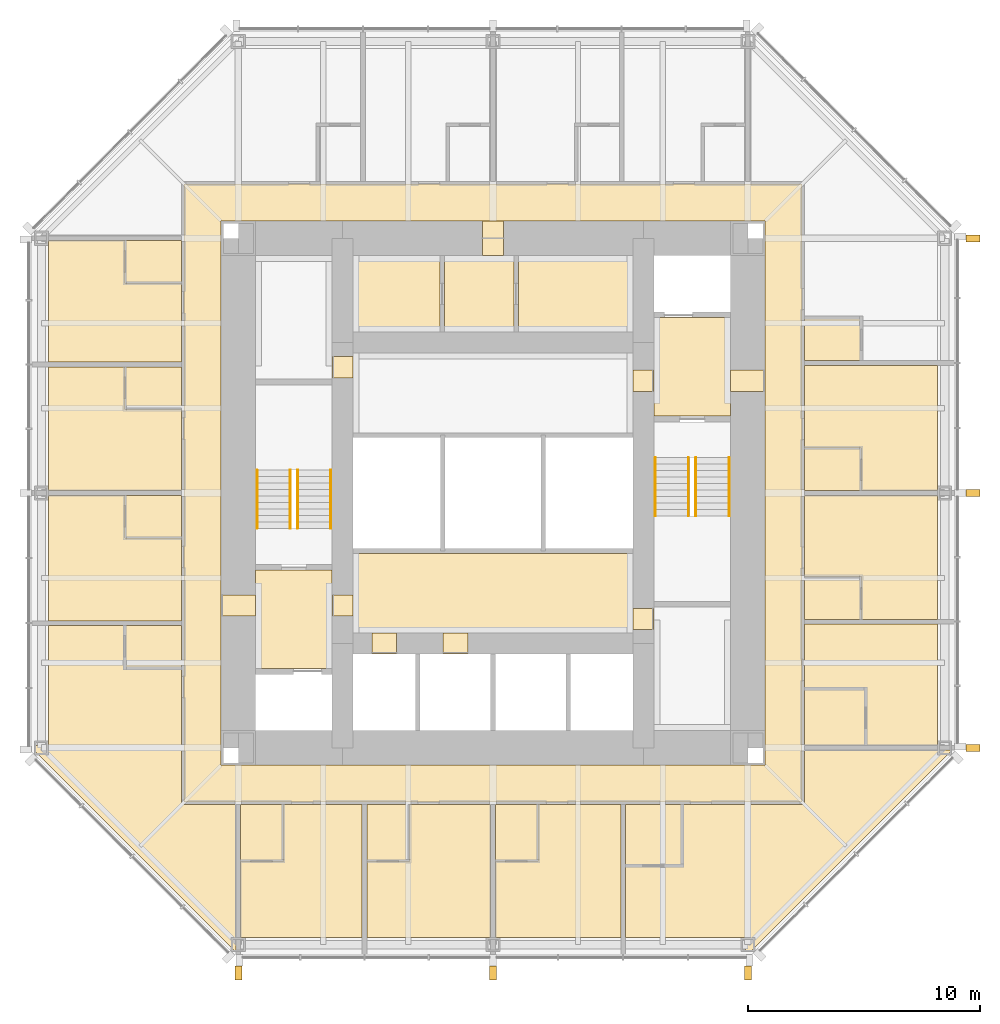
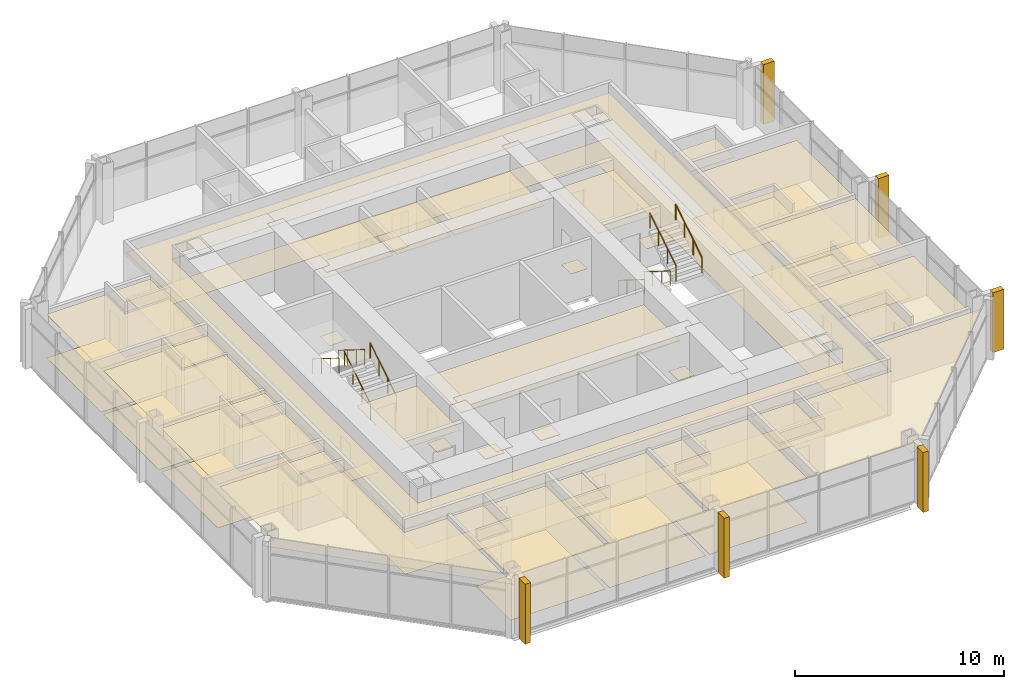
# One storey, part 11 of 12: 54 coverings, 8 railings.
"""IFC4 building model written with IfcOpenShell, lengths in metres."""

from ifc_helpers import new_model, si_unit, direction, frame, origin, origin_2d, place, context, subcontext, project, spatial, polyline, rectangle, circle, outline, extrude, material, layer, layer_set, type_object, element, save


model = new_model("IFC4")

# Units and contexts
model_context = context("Model", 3, precision=1e-05, world=origin(), true_north=direction((0.0, 1.0)))
body_context = subcontext(model_context, "Body", "Model", "MODEL_VIEW")
ifc_project = project(units=[si_unit("LENGTHUNIT", "METRE"), si_unit("AREAUNIT", "SQUARE_METRE"), si_unit("VOLUMEUNIT", "CUBIC_METRE"), si_unit("PLANEANGLEUNIT", "RADIAN"), si_unit("MASSUNIT", "GRAM", prefix="KILO")], contexts=[model_context])

# Site, building, storey
site_placement = place(None, origin())
site = spatial("IfcSite", under=ifc_project, at=site_placement, CompositionType="ELEMENT")
building_placement = place(site_placement, origin())
building = spatial("IfcBuilding", under=site, at=building_placement, Name="Trevanion Tower", CompositionType="ELEMENT")
storey_placement = place(building_placement, frame((0.0, 0.0, 194.199951171875)))
storey = spatial("IfcBuildingStorey", under=building, at=storey_placement, Name="L45", CompositionType="ELEMENT", Elevation=194.199951171875)

# Coverings
ifc_material_1 = material(Name="Fibrous plaster coffers on suspended steel grid", Category="steel")
ifc_layer_1 = layer(ifc_material_1, 0.050048828125)
ifc_layer_set_1 = layer_set([ifc_layer_1], Name="CL1 coffered fibrous plaster ceiling 50")
covering_type_1 = type_object("IfcCoveringType", Name="CL1 coffered fibrous plaster ceiling 50", PredefinedType="CEILING", material=ifc_layer_set_1)
covering_1_placement = place(storey_placement, frame((0.0, 0.0, 2.429931640625)))
element("IfcCovering", 1, at=covering_1_placement, inside=storey, type_object=covering_type_1, Name="CL1 L45-LBS", PredefinedType="CEILING", context=body_context, shape_type="SweptSolid", body=[
    extrude(outline(polyline([(6.050048828125, -6.050048828125), (6.050048828125, -2.60009765625), (-6.050048828125, -2.60009765625), (-6.050048828125, -6.050048828125), (6.050048828125, -6.050048828125)])), origin(), (0.0, 0.0, 1.0), 0.050048828125),
])
ifc_material_2 = material(Name="Mineral fibre acoustic tiles in exposed grid", Category="mineral fibre")
ifc_layer_2 = layer(ifc_material_2, 0.02001953125)
ifc_layer_set_2 = layer_set([ifc_layer_2], Name="CL2 acoustic tile ceiling 20")
covering_type_2 = type_object("IfcCoveringType", Name="CL2 acoustic tile ceiling 20", PredefinedType="CEILING", material=ifc_layer_set_2)
covering_2_placement = place(storey_placement, frame((0.0, 0.0, 2.4599609375)))
element("IfcCovering", 2, at=covering_2_placement, inside=storey, type_object=covering_type_2, Name="CL2 L45-HKC", PredefinedType="CEILING", context=body_context, shape_type="SweptSolid", body=[
    extrude(outline(polyline([(0.89990234375, 6.949951171875), (0.89990234375, 10.25), (-2.10009765625, 10.25), (-2.10009765625, 6.949951171875), (0.89990234375, 6.949951171875)])), origin(), (0.0, 0.0, 1.0), 0.02001953125),
])
covering_3_placement = place(storey_placement, frame((0.0, 0.0, 2.633056640625)))
element("IfcCovering", 3, at=covering_3_placement, inside=storey, type_object=covering_type_2, Name="CL2 L45-CO", PredefinedType="CEILING", context=body_context, shape_type="SweptSolid", body=[
    extrude(outline(polyline([(-13.35009765625, -13.35009765625), (-13.35009765625, 13.35009765625), (13.35009765625, 13.35009765625), (13.35009765625, -13.35009765625), (-13.35009765625, -13.35009765625)]), holes=[polyline([(11.75, 11.75), (-11.75, 11.75), (-11.75, -11.75), (11.75, -11.75), (11.75, 11.75)])]), origin(), (0.0, 0.0, 1.0), 0.02001953125),
])
ifc_material_3 = material(Name="Gypsum plasterboard on suspended metal furring", Category="gypsum")
ifc_layer_3 = layer(ifc_material_3, 0.012939453125)
ifc_layer_set_3 = layer_set([ifc_layer_3], Name="CL3 plasterboard ceiling 13")
covering_type_3 = type_object("IfcCoveringType", Name="CL3 plasterboard ceiling 13", PredefinedType="CEILING", material=ifc_layer_set_3)
covering_4_placement = place(storey_placement, frame((0.0, 0.0, 2.699951171875)))
element("IfcCovering", 4, at=covering_4_placement, inside=storey, type_object=covering_type_3, Name="CL3 L45-FV1", PredefinedType="CEILING", context=body_context, shape_type="SweptSolid", body=[
    extrude(outline(polyline([(10.25, 3.324951171875), (10.25, 7.574951171875), (6.949951171875, 7.574951171875), (6.949951171875, 3.324951171875), (10.25, 3.324951171875)])), origin(), (0.0, 0.0, 1.0), 0.01318359375),
])
covering_5_placement = place(storey_placement, frame((0.0, 0.0, 2.699951171875)))
element("IfcCovering", 5, at=covering_5_placement, inside=storey, type_object=covering_type_3, Name="CL3 L45-FV2", PredefinedType="CEILING", context=body_context, shape_type="SweptSolid", body=[
    extrude(outline(polyline([(-10.25, -3.324951171875), (-10.25, -7.574951171875), (-6.949951171875, -7.574951171875), (-6.949951171875, -3.324951171875), (-10.25, -3.324951171875)])), origin(), (0.0, 0.0, 1.0), 0.01318359375),
])
covering_6_placement = place(storey_placement, frame((0.0, 0.0, 2.551025390625)))
element("IfcCovering", 6, at=covering_6_placement, inside=storey, type_object=covering_type_3, Name="CL3 L45-GA", PredefinedType="CEILING", context=body_context, shape_type="SweptSolid", body=[
    extrude(outline(polyline([(13.449951171875, -5.64892578125), (19.199951171875, -5.64892578125), (19.199951171875, -10.89990234375), (16.10009765625, -10.89990234375), (16.10009765625, -8.449951171875), (13.449951171875, -8.449951171875), (13.449951171875, -5.64892578125)])), origin(), (0.0, 0.0, 1.0), 0.012939453125),
])
covering_7_placement = place(storey_placement, frame((0.0, 0.0, 2.551025390625)))
element("IfcCovering", 7, at=covering_7_placement, inside=storey, type_object=covering_type_3, Name="CL3 L45-GR", PredefinedType="CEILING", context=body_context, shape_type="SweptSolid", body=[
    extrude(outline(polyline([(13.449951171875, -0.10009765625), (19.199951171875, -0.10009765625), (19.199951171875, -5.448974609375), (15.89990234375, -5.448974609375), (15.89990234375, -3.59912109375), (13.449951171875, -3.59912109375), (13.449951171875, -0.10009765625)])), origin(), (0.0, 0.0, 1.0), 0.012939453125),
])
covering_8_placement = place(storey_placement, frame((0.0, 0.0, 2.551025390625)))
element("IfcCovering", 8, at=covering_8_placement, inside=storey, type_object=covering_type_3, Name="CL3 L45-GR2", PredefinedType="CEILING", context=body_context, shape_type="SweptSolid", body=[
    extrude(outline(polyline([(13.449951171875, 5.513916015625), (19.199951171875, 5.513916015625), (19.199951171875, 0.10009765625), (15.89990234375, 0.10009765625), (15.89990234375, 1.949951171875), (13.449951171875, 1.949951171875), (13.449951171875, 5.513916015625)])), origin(), (0.0, 0.0, 1.0), 0.012939453125),
])
covering_9_placement = place(storey_placement, frame((0.0, 0.0, 2.551025390625)))
element("IfcCovering", 9, at=covering_9_placement, inside=storey, type_object=covering_type_3, Name="CL3 L45-GR8", PredefinedType="CEILING", context=body_context, shape_type="SweptSolid", body=[
    extrude(outline(polyline([(-13.449951171875, 5.64892578125), (-19.199951171875, 5.64892578125), (-19.199951171875, 10.89990234375), (-15.89990234375, 10.89990234375), (-15.89990234375, 9.050048828125), (-13.449951171875, 9.050048828125), (-13.449951171875, 5.64892578125)])), origin(), (0.0, 0.0, 1.0), 0.012939453125),
])
covering_10_placement = place(storey_placement, frame((0.0, 0.0, 2.551025390625)))
element("IfcCovering", 10, at=covering_10_placement, inside=storey, type_object=covering_type_3, Name="CL3 L45-GR9", PredefinedType="CEILING", context=body_context, shape_type="SweptSolid", body=[
    extrude(outline(polyline([(-13.449951171875, 0.10009765625), (-19.199951171875, 0.10009765625), (-19.199951171875, 5.448974609375), (-15.89990234375, 5.448974609375), (-15.89990234375, 3.59912109375), (-13.449951171875, 3.59912109375), (-13.449951171875, 0.10009765625)])), origin(), (0.0, 0.0, 1.0), 0.012939453125),
])
covering_11_placement = place(storey_placement, frame((0.0, 0.0, 2.551025390625)))
element("IfcCovering", 11, at=covering_11_placement, inside=storey, type_object=covering_type_3, Name="CL3 L45-GR10", PredefinedType="CEILING", context=body_context, shape_type="SweptSolid", body=[
    extrude(outline(polyline([(-13.449951171875, -5.513916015625), (-19.199951171875, -5.513916015625), (-19.199951171875, -0.10009765625), (-15.89990234375, -0.10009765625), (-15.89990234375, -1.949951171875), (-13.449951171875, -1.949951171875), (-13.449951171875, -5.513916015625)])), origin(), (0.0, 0.0, 1.0), 0.012939453125),
])
covering_12_placement = place(storey_placement, frame((0.0, 0.0, 2.551025390625)))
element("IfcCovering", 12, at=covering_12_placement, inside=storey, type_object=covering_type_3, Name="CL3 L45-GR11", PredefinedType="CEILING", context=body_context, shape_type="SweptSolid", body=[
    extrude(outline(polyline([(-11.10009765625, -13.449951171875), (-11.10009765625, -19.800048828125), (-11.124267578125, -19.800048828125), (-19.800048828125, -11.124267578125), (-19.800048828125, -10.89990234375), (-19.199951171875, -10.89990234375), (-19.199951171875, -5.714111328125), (-15.89990234375, -5.714111328125), (-15.89990234375, -7.56396484375), (-13.449951171875, -7.56396484375), (-13.449951171875, -13.449951171875), (-11.10009765625, -13.449951171875)])), origin(), (0.0, 0.0, 1.0), 0.012939453125),
])
covering_13_placement = place(storey_placement, frame((0.0, 0.0, 2.551025390625)))
element("IfcCovering", 13, at=covering_13_placement, inside=storey, type_object=covering_type_3, Name="CL3 L45-GR12", PredefinedType="CEILING", context=body_context, shape_type="SweptSolid", body=[
    extrude(outline(polyline([(-5.64892578125, -13.449951171875), (-5.64892578125, -19.199951171875), (-10.89990234375, -19.199951171875), (-10.89990234375, -15.89990234375), (-9.050048828125, -15.89990234375), (-9.050048828125, -13.449951171875), (-5.64892578125, -13.449951171875)])), origin(), (0.0, 0.0, 1.0), 0.012939453125),
])
covering_14_placement = place(storey_placement, frame((0.0, 0.0, 2.551025390625)))
element("IfcCovering", 14, at=covering_14_placement, inside=storey, type_object=covering_type_3, Name="CL3 L45-GR13", PredefinedType="CEILING", context=body_context, shape_type="SweptSolid", body=[
    extrude(outline(polyline([(-0.10009765625, -13.449951171875), (-0.10009765625, -19.199951171875), (-5.448974609375, -19.199951171875), (-5.448974609375, -15.89990234375), (-3.59912109375, -15.89990234375), (-3.59912109375, -13.449951171875), (-0.10009765625, -13.449951171875)])), origin(), (0.0, 0.0, 1.0), 0.012939453125),
])
covering_15_placement = place(storey_placement, frame((0.0, 0.0, 2.551025390625)))
element("IfcCovering", 15, at=covering_15_placement, inside=storey, type_object=covering_type_3, Name="CL3 L45-GR14", PredefinedType="CEILING", context=body_context, shape_type="SweptSolid", body=[
    extrude(outline(polyline([(5.513916015625, -13.449951171875), (5.513916015625, -19.199951171875), (0.10009765625, -19.199951171875), (0.10009765625, -15.89990234375), (1.949951171875, -15.89990234375), (1.949951171875, -13.449951171875), (5.513916015625, -13.449951171875)])), origin(), (0.0, 0.0, 1.0), 0.012939453125),
])
covering_16_placement = place(storey_placement, frame((0.0, 0.0, 2.551025390625)))
element("IfcCovering", 16, at=covering_16_placement, inside=storey, type_object=covering_type_3, Name="CL3 L45-GA2", PredefinedType="CEILING", context=body_context, shape_type="SweptSolid", body=[
    extrude(outline(polyline([(13.449951171875, -11.10009765625), (19.800048828125, -11.10009765625), (19.800048828125, -11.124267578125), (11.124267578125, -19.800048828125), (10.89990234375, -19.800048828125), (10.89990234375, -19.199951171875), (5.714111328125, -19.199951171875), (5.714111328125, -16.10009765625), (8.1640625, -16.10009765625), (8.1640625, -13.449951171875), (13.449951171875, -13.449951171875), (13.449951171875, -11.10009765625)])), origin(), (0.0, 0.0, 1.0), 0.012939453125),
])
ifc_material_4 = material(Name="Moisture-resistant gypsum board on suspended metal furring", Category="gypsum")
ifc_layer_4 = layer(ifc_material_4, 0.01611328125)
ifc_layer_set_4 = layer_set([ifc_layer_4], Name="CL4 moisture-resistant board ceiling 16")
covering_type_4 = type_object("IfcCoveringType", Name="CL4 moisture-resistant board ceiling 16", PredefinedType="CEILING", material=ifc_layer_set_4)
covering_17_placement = place(storey_placement, frame((0.0, 0.0, 2.464111328125)))
element("IfcCovering", 17, at=covering_17_placement, inside=storey, type_object=covering_type_4, Name="CL4 L45-HK", PredefinedType="CEILING", context=body_context, shape_type="SweptSolid", body=[
    extrude(outline(polyline([(-2.300048828125, 6.949951171875), (-2.300048828125, 10.25), (-6.050048828125, 10.25), (-6.050048828125, 6.949951171875), (-2.300048828125, 6.949951171875)])), origin(), (0.0, 0.0, 1.0), 0.015869140625),
])
covering_18_placement = place(storey_placement, frame((0.0, 0.0, 2.464111328125)))
element("IfcCovering", 18, at=covering_18_placement, inside=storey, type_object=covering_type_4, Name="CL4 L45-HKL", PredefinedType="CEILING", context=body_context, shape_type="SweptSolid", body=[
    extrude(outline(polyline([(6.050048828125, 6.949951171875), (6.050048828125, 10.25), (1.10009765625, 10.25), (1.10009765625, 6.949951171875), (6.050048828125, 6.949951171875)])), origin(), (0.0, 0.0, 1.0), 0.015869140625),
])
covering_19_placement = place(storey_placement, frame((0.0, 0.0, 2.60009765625)))
element("IfcCovering", 19, at=covering_19_placement, inside=storey, type_object=covering_type_4, Name="CL4 L45-EN", PredefinedType="CEILING", context=body_context, shape_type="SweptSolid", body=[
    extrude(outline(polyline([(16.050048828125, -10.89990234375), (16.050048828125, -8.5), (13.449951171875, -8.5), (13.449951171875, -10.89990234375), (16.050048828125, -10.89990234375)])), origin(), (0.0, 0.0, 1.0), 0.015869140625),
])
covering_20_placement = place(storey_placement, frame((0.0, 0.0, 2.60009765625)))
element("IfcCovering", 20, at=covering_20_placement, inside=storey, type_object=covering_type_4, Name="CL4 L45-EN2", PredefinedType="CEILING", context=body_context, shape_type="SweptSolid", body=[
    extrude(outline(polyline([(15.85009765625, -5.448974609375), (15.85009765625, -3.64892578125), (13.449951171875, -3.64892578125), (13.449951171875, -5.448974609375), (15.85009765625, -5.448974609375)])), origin(), (0.0, 0.0, 1.0), 0.015869140625),
])
covering_21_placement = place(storey_placement, frame((0.0, 0.0, 2.60009765625)))
element("IfcCovering", 21, at=covering_21_placement, inside=storey, type_object=covering_type_4, Name="CL4 L45-EN3", PredefinedType="CEILING", context=body_context, shape_type="SweptSolid", body=[
    extrude(outline(polyline([(15.85009765625, 0.10009765625), (15.85009765625, 1.89990234375), (13.449951171875, 1.89990234375), (13.449951171875, 0.10009765625), (15.85009765625, 0.10009765625)])), origin(), (0.0, 0.0, 1.0), 0.015869140625),
])
covering_22_placement = place(storey_placement, frame((0.0, 0.0, 2.60009765625)))
element("IfcCovering", 22, at=covering_22_placement, inside=storey, type_object=covering_type_4, Name="CL4 L45-EN4", PredefinedType="CEILING", context=body_context, shape_type="SweptSolid", body=[
    extrude(outline(polyline([(15.85009765625, 5.714111328125), (15.85009765625, 7.513916015625), (13.449951171875, 7.513916015625), (13.449951171875, 5.714111328125), (15.85009765625, 5.714111328125)])), origin(), (0.0, 0.0, 1.0), 0.015869140625),
])
covering_23_placement = place(storey_placement, frame((0.0, 0.0, 2.60009765625)))
element("IfcCovering", 23, at=covering_23_placement, inside=storey, type_object=covering_type_4, Name="CL4 L45-EN9", PredefinedType="CEILING", context=body_context, shape_type="SweptSolid", body=[
    extrude(outline(polyline([(-15.85009765625, 10.89990234375), (-15.85009765625, 9.10009765625), (-13.449951171875, 9.10009765625), (-13.449951171875, 10.89990234375), (-15.85009765625, 10.89990234375)])), origin(), (0.0, 0.0, 1.0), 0.015869140625),
])
covering_24_placement = place(storey_placement, frame((0.0, 0.0, 2.60009765625)))
element("IfcCovering", 24, at=covering_24_placement, inside=storey, type_object=covering_type_4, Name="CL4 L45-EN10", PredefinedType="CEILING", context=body_context, shape_type="SweptSolid", body=[
    extrude(outline(polyline([(-15.85009765625, 5.448974609375), (-15.85009765625, 3.64892578125), (-13.449951171875, 3.64892578125), (-13.449951171875, 5.448974609375), (-15.85009765625, 5.448974609375)])), origin(), (0.0, 0.0, 1.0), 0.015869140625),
])
covering_25_placement = place(storey_placement, frame((0.0, 0.0, 2.60009765625)))
element("IfcCovering", 25, at=covering_25_placement, inside=storey, type_object=covering_type_4, Name="CL4 L45-EN11", PredefinedType="CEILING", context=body_context, shape_type="SweptSolid", body=[
    extrude(outline(polyline([(-15.85009765625, -0.10009765625), (-15.85009765625, -1.89990234375), (-13.449951171875, -1.89990234375), (-13.449951171875, -0.10009765625), (-15.85009765625, -0.10009765625)])), origin(), (0.0, 0.0, 1.0), 0.015869140625),
])
covering_26_placement = place(storey_placement, frame((0.0, 0.0, 2.60009765625)))
element("IfcCovering", 26, at=covering_26_placement, inside=storey, type_object=covering_type_4, Name="CL4 L45-EN12", PredefinedType="CEILING", context=body_context, shape_type="SweptSolid", body=[
    extrude(outline(polyline([(-15.85009765625, -5.714111328125), (-15.85009765625, -7.513916015625), (-13.449951171875, -7.513916015625), (-13.449951171875, -5.714111328125), (-15.85009765625, -5.714111328125)])), origin(), (0.0, 0.0, 1.0), 0.015869140625),
])
covering_27_placement = place(storey_placement, frame((0.0, 0.0, 2.60009765625)))
element("IfcCovering", 27, at=covering_27_placement, inside=storey, type_object=covering_type_4, Name="CL4 L45-EN13", PredefinedType="CEILING", context=body_context, shape_type="SweptSolid", body=[
    extrude(outline(polyline([(-10.89990234375, -15.85009765625), (-9.10009765625, -15.85009765625), (-9.10009765625, -13.449951171875), (-10.89990234375, -13.449951171875), (-10.89990234375, -15.85009765625)])), origin(), (0.0, 0.0, 1.0), 0.015869140625),
])
covering_28_placement = place(storey_placement, frame((0.0, 0.0, 2.60009765625)))
element("IfcCovering", 28, at=covering_28_placement, inside=storey, type_object=covering_type_4, Name="CL4 L45-EN14", PredefinedType="CEILING", context=body_context, shape_type="SweptSolid", body=[
    extrude(outline(polyline([(-5.448974609375, -15.85009765625), (-3.64892578125, -15.85009765625), (-3.64892578125, -13.449951171875), (-5.448974609375, -13.449951171875), (-5.448974609375, -15.85009765625)])), origin(), (0.0, 0.0, 1.0), 0.015869140625),
])
covering_29_placement = place(storey_placement, frame((0.0, 0.0, 2.60009765625)))
element("IfcCovering", 29, at=covering_29_placement, inside=storey, type_object=covering_type_4, Name="CL4 L45-EN15", PredefinedType="CEILING", context=body_context, shape_type="SweptSolid", body=[
    extrude(outline(polyline([(0.10009765625, -15.85009765625), (1.89990234375, -15.85009765625), (1.89990234375, -13.449951171875), (0.10009765625, -13.449951171875), (0.10009765625, -15.85009765625)])), origin(), (0.0, 0.0, 1.0), 0.015869140625),
])
covering_30_placement = place(storey_placement, frame((0.0, 0.0, 2.60009765625)))
element("IfcCovering", 30, at=covering_30_placement, inside=storey, type_object=covering_type_4, Name="CL4 L45-EN16", PredefinedType="CEILING", context=body_context, shape_type="SweptSolid", body=[
    extrude(outline(polyline([(5.714111328125, -16.050048828125), (8.114013671875, -16.050048828125), (8.114013671875, -13.449951171875), (5.714111328125, -13.449951171875), (5.714111328125, -16.050048828125)])), origin(), (0.0, 0.0, 1.0), 0.015869140625),
])
ifc_material_5 = material(Name="Cast bronze fin on aluminium carrier", Category="aluminium")
covering_type_5 = type_object("IfcCoveringType", Name="F1 bronze fin", PredefinedType="CLADDING", material=ifc_material_5)
for number, where, z_axis, x_axis, name in (
    (31, (20.72509765625, -11.0, -0.18994140625), (0.0, 0.0, 1.0), (0.0, 1.0, 0.0), "F1 L45 east -11.0"),
    (32, (20.72509765625, 0.0, -0.18994140625), (0.0, 0.0, 1.0), (0.0, 1.0, 0.0), "F1 L45 east +0.0"),
    (33, (20.72509765625, 11.0, -0.18994140625), (0.0, 0.0, 1.0), (0.0, 1.0, 0.0), "F1 L45 east +11.0"),
    (34, (-11.0, -20.72509765625, -0.18994140625), (0.0, 0.0, 1.0), (1.0, 0.0, 0.0), "F1 L45 south -11.0"),
    (35, (0.0, -20.72509765625, -0.18994140625), (0.0, 0.0, 1.0), (1.0, 0.0, 0.0), "F1 L45 south +0.0"),
    (36, (11.0, -20.72509765625, -0.18994140625), (0.0, 0.0, 1.0), (1.0, 0.0, 0.0), "F1 L45 south +11.0"),
):
    element("IfcCovering", number, at=place(storey_placement, frame(where, z_axis=z_axis, x_axis=x_axis)), inside=storey, type_object=covering_type_5, Name=name, PredefinedType="CLADDING", context=body_context, shape_type="SweptSolid", body=[
        extrude(rectangle(XDim=0.300048828125, YDim=0.60009765625, at=origin_2d()), origin(), (0.0, 0.0, 1.0), 3.5),
    ])
ifc_material_6 = material(Name="Terrazzo, brass divider strips", Category="stone")
ifc_layer_5 = layer(ifc_material_6, 0.02001953125)
ifc_layer_set_5 = layer_set([ifc_layer_5], Name="FF1 terrazzo flooring")
covering_type_6 = type_object("IfcCoveringType", Name="FF1 terrazzo flooring", PredefinedType="FLOORING", material=ifc_layer_set_5)
covering_31_placement = place(storey_placement, origin())
element("IfcCovering", 37, at=covering_31_placement, inside=storey, type_object=covering_type_6, Name="FF1 threshold 45-001", PredefinedType="FLOORING", context=body_context, shape_type="SweptSolid", body=[
    extrude(outline(polyline([(11.75, 4.392578125), (11.75, 5.3076171875), (10.25, 5.3076171875), (10.25, 4.392578125), (11.75, 4.392578125)])), origin(), (0.0, 0.0, 1.0), 0.02001953125),
])
covering_32_placement = place(storey_placement, origin())
element("IfcCovering", 38, at=covering_32_placement, inside=storey, type_object=covering_type_6, Name="FF1 threshold 45-002", PredefinedType="FLOORING", context=body_context, shape_type="SweptSolid", body=[
    extrude(outline(polyline([(-11.75, -4.392578125), (-11.75, -5.3076171875), (-10.25, -5.3076171875), (-10.25, -4.392578125), (-11.75, -4.392578125)])), origin(), (0.0, 0.0, 1.0), 0.02001953125),
])
covering_33_placement = place(storey_placement, origin())
element("IfcCovering", 39, at=covering_33_placement, inside=storey, type_object=covering_type_6, Name="FF1 threshold 45-003", PredefinedType="FLOORING", context=body_context, shape_type="SweptSolid", body=[
    extrude(outline(polyline([(6.949951171875, 4.392578125), (6.949951171875, 5.3076171875), (6.050048828125, 5.3076171875), (6.050048828125, 4.392578125), (6.949951171875, 4.392578125)])), origin(), (0.0, 0.0, 1.0), 0.02001953125),
])
covering_34_placement = place(storey_placement, origin())
element("IfcCovering", 40, at=covering_34_placement, inside=storey, type_object=covering_type_6, Name="FF1 threshold 45-004", PredefinedType="FLOORING", context=body_context, shape_type="SweptSolid", body=[
    extrude(outline(polyline([(-6.949951171875, -4.392578125), (-6.949951171875, -5.3076171875), (-6.050048828125, -5.3076171875), (-6.050048828125, -4.392578125), (-6.949951171875, -4.392578125)])), origin(), (0.0, 0.0, 1.0), 0.02001953125),
])
covering_35_placement = place(storey_placement, origin())
element("IfcCovering", 41, at=covering_35_placement, inside=storey, type_object=covering_type_6, Name="FF1 threshold 45-009", PredefinedType="FLOORING", context=body_context, shape_type="SweptSolid", body=[
    extrude(outline(polyline([(6.949951171875, -5.889892578125), (6.949951171875, -4.97509765625), (6.050048828125, -4.97509765625), (6.050048828125, -5.889892578125), (6.949951171875, -5.889892578125)])), origin(), (0.0, 0.0, 1.0), 0.02001953125),
])
covering_36_placement = place(storey_placement, origin())
element("IfcCovering", 42, at=covering_36_placement, inside=storey, type_object=covering_type_6, Name="FF1 threshold 45-010", PredefinedType="FLOORING", context=body_context, shape_type="SweptSolid", body=[
    extrude(outline(polyline([(-6.949951171875, 5.889892578125), (-6.949951171875, 4.97509765625), (-6.050048828125, 4.97509765625), (-6.050048828125, 5.889892578125), (-6.949951171875, 5.889892578125)])), origin(), (0.0, 0.0, 1.0), 0.02001953125),
])
covering_37_placement = place(storey_placement, origin())
element("IfcCovering", 43, at=covering_37_placement, inside=storey, type_object=covering_type_6, Name="FF1 threshold 45-011", PredefinedType="FLOORING", context=body_context, shape_type="SweptSolid", body=[
    extrude(outline(polyline([(-5.2333984375, -6.949951171875), (-4.16650390625, -6.949951171875), (-4.16650390625, -6.050048828125), (-5.2333984375, -6.050048828125), (-5.2333984375, -6.949951171875)])), origin(), (0.0, 0.0, 1.0), 0.02001953125),
])
covering_38_placement = place(storey_placement, origin())
element("IfcCovering", 44, at=covering_38_placement, inside=storey, type_object=covering_type_6, Name="FF1 threshold 45-012", PredefinedType="FLOORING", context=body_context, shape_type="SweptSolid", body=[
    extrude(outline(polyline([(-2.158447265625, -6.949951171875), (-1.091552734375, -6.949951171875), (-1.091552734375, -6.050048828125), (-2.158447265625, -6.050048828125), (-2.158447265625, -6.949951171875)])), origin(), (0.0, 0.0, 1.0), 0.02001953125),
])
covering_39_placement = place(storey_placement, origin())
element("IfcCovering", 45, at=covering_39_placement, inside=storey, type_object=covering_type_6, Name="FF1 threshold 45-013", PredefinedType="FLOORING", context=body_context, shape_type="SweptSolid", body=[
    extrude(outline(polyline([(0.45751953125, 11.75), (-0.45751953125, 11.75), (-0.45751953125, 10.25), (0.45751953125, 10.25), (0.45751953125, 11.75)])), origin(), (0.0, 0.0, 1.0), 0.02001953125),
])
ifc_material_7 = material(Name="Wool carpet on underlay", Category="textile")
ifc_layer_6 = layer(ifc_material_7, 0.011962890625)
ifc_layer_set_6 = layer_set([ifc_layer_6], Name="FF2 carpet flooring")
covering_type_7 = type_object("IfcCoveringType", Name="FF2 carpet flooring", PredefinedType="FLOORING", material=ifc_layer_set_6)
covering_40_placement = place(storey_placement, origin())
element("IfcCovering", 46, at=covering_40_placement, inside=storey, type_object=covering_type_7, Name="FF2 L45-CO", PredefinedType="FLOORING", context=body_context, shape_type="SweptSolid", body=[
    extrude(outline(polyline([(-13.35009765625, -13.35009765625), (-13.35009765625, 13.35009765625), (13.35009765625, 13.35009765625), (13.35009765625, -13.35009765625), (-13.35009765625, -13.35009765625)]), holes=[polyline([(11.75, 11.75), (-11.75, 11.75), (-11.75, -11.75), (11.75, -11.75), (11.75, 11.75)])]), origin(), (0.0, 0.0, 1.0), 0.011962890625),
])
covering_41_placement = place(storey_placement, origin())
element("IfcCovering", 47, at=covering_41_placement, inside=storey, type_object=covering_type_7, Name="FF2 L45-GR", PredefinedType="FLOORING", context=body_context, shape_type="SweptSolid", body=[
    extrude(outline(polyline([(13.449951171875, -0.10009765625), (19.199951171875, -0.10009765625), (19.199951171875, -5.448974609375), (15.89990234375, -5.448974609375), (15.89990234375, -3.59912109375), (13.449951171875, -3.59912109375), (13.449951171875, -0.10009765625)])), origin(), (0.0, 0.0, 1.0), 0.011962890625),
])
covering_42_placement = place(storey_placement, origin())
element("IfcCovering", 48, at=covering_42_placement, inside=storey, type_object=covering_type_7, Name="FF2 L45-GR2", PredefinedType="FLOORING", context=body_context, shape_type="SweptSolid", body=[
    extrude(outline(polyline([(13.449951171875, 5.513916015625), (19.199951171875, 5.513916015625), (19.199951171875, 0.10009765625), (15.89990234375, 0.10009765625), (15.89990234375, 1.949951171875), (13.449951171875, 1.949951171875), (13.449951171875, 5.513916015625)])), origin(), (0.0, 0.0, 1.0), 0.011962890625),
])
covering_43_placement = place(storey_placement, origin())
element("IfcCovering", 49, at=covering_43_placement, inside=storey, type_object=covering_type_7, Name="FF2 L45-GR8", PredefinedType="FLOORING", context=body_context, shape_type="SweptSolid", body=[
    extrude(outline(polyline([(-13.449951171875, 5.64892578125), (-19.199951171875, 5.64892578125), (-19.199951171875, 10.89990234375), (-15.89990234375, 10.89990234375), (-15.89990234375, 9.050048828125), (-13.449951171875, 9.050048828125), (-13.449951171875, 5.64892578125)])), origin(), (0.0, 0.0, 1.0), 0.011962890625),
])
covering_44_placement = place(storey_placement, origin())
element("IfcCovering", 50, at=covering_44_placement, inside=storey, type_object=covering_type_7, Name="FF2 L45-GR9", PredefinedType="FLOORING", context=body_context, shape_type="SweptSolid", body=[
    extrude(outline(polyline([(-13.449951171875, 0.10009765625), (-19.199951171875, 0.10009765625), (-19.199951171875, 5.448974609375), (-15.89990234375, 5.448974609375), (-15.89990234375, 3.59912109375), (-13.449951171875, 3.59912109375), (-13.449951171875, 0.10009765625)])), origin(), (0.0, 0.0, 1.0), 0.011962890625),
])
covering_45_placement = place(storey_placement, origin())
element("IfcCovering", 51, at=covering_45_placement, inside=storey, type_object=covering_type_7, Name="FF2 L45-GR10", PredefinedType="FLOORING", context=body_context, shape_type="SweptSolid", body=[
    extrude(outline(polyline([(-13.449951171875, -5.513916015625), (-19.199951171875, -5.513916015625), (-19.199951171875, -0.10009765625), (-15.89990234375, -0.10009765625), (-15.89990234375, -1.949951171875), (-13.449951171875, -1.949951171875), (-13.449951171875, -5.513916015625)])), origin(), (0.0, 0.0, 1.0), 0.011962890625),
])
covering_46_placement = place(storey_placement, origin())
element("IfcCovering", 52, at=covering_46_placement, inside=storey, type_object=covering_type_7, Name="FF2 L45-GR12", PredefinedType="FLOORING", context=body_context, shape_type="SweptSolid", body=[
    extrude(outline(polyline([(-5.64892578125, -13.449951171875), (-5.64892578125, -19.199951171875), (-10.89990234375, -19.199951171875), (-10.89990234375, -15.89990234375), (-9.050048828125, -15.89990234375), (-9.050048828125, -13.449951171875), (-5.64892578125, -13.449951171875)])), origin(), (0.0, 0.0, 1.0), 0.011962890625),
])
covering_47_placement = place(storey_placement, origin())
element("IfcCovering", 53, at=covering_47_placement, inside=storey, type_object=covering_type_7, Name="FF2 L45-GR13", PredefinedType="FLOORING", context=body_context, shape_type="SweptSolid", body=[
    extrude(outline(polyline([(-0.10009765625, -13.449951171875), (-0.10009765625, -19.199951171875), (-5.448974609375, -19.199951171875), (-5.448974609375, -15.89990234375), (-3.59912109375, -15.89990234375), (-3.59912109375, -13.449951171875), (-0.10009765625, -13.449951171875)])), origin(), (0.0, 0.0, 1.0), 0.011962890625),
])
covering_48_placement = place(storey_placement, origin())
element("IfcCovering", 54, at=covering_48_placement, inside=storey, type_object=covering_type_7, Name="FF2 L45-GR14", PredefinedType="FLOORING", context=body_context, shape_type="SweptSolid", body=[
    extrude(outline(polyline([(5.513916015625, -13.449951171875), (5.513916015625, -19.199951171875), (0.10009765625, -19.199951171875), (0.10009765625, -15.89990234375), (1.949951171875, -15.89990234375), (1.949951171875, -13.449951171875), (5.513916015625, -13.449951171875)])), origin(), (0.0, 0.0, 1.0), 0.011962890625),
])

# Railings
ifc_material_8 = material(Name="Stainless steel tube 40 mm", Category="steel")
railing_type = type_object("IfcRailingType", Name="HR1 handrail", PredefinedType="HANDRAIL", material=ifc_material_8)
for number, where, name in (
    (55, (7.010009765625, 1.52490234375, 0.175048828125), "HR1 ST1 L45 flight 1"),
    (56, (8.43994140625, 1.52490234375, 0.175048828125), "HR1 ST1 L45 flight 1"),
):
    element("IfcRailing", number, at=place(storey_placement, frame(where)), inside=storey, type_object=railing_type, Name=name, PredefinedType="HANDRAIL", context=body_context, shape_type="SweptSolid", body=[
        extrude(circle(Radius=0.02001953125, at=origin_2d()), frame((0.0, 0.0, 0.8798828125), z_axis=(0.0, -0.848007534815, 0.529984170421), x_axis=(1.0, 0.0, 0.0)), (0.0, 0.0, 1.0), 2.9716796875),
        extrude(circle(Radius=0.01513671875, at=origin_2d()), origin(), (0.0, 0.0, 1.0), 0.85986328125),
        extrude(circle(Radius=0.01513671875, at=origin_2d()), frame((0.0, -0.840087890625, 0.52490234375)), (0.0, 0.0, 1.0), 0.85986328125),
        extrude(circle(Radius=0.01513671875, at=origin_2d()), frame((0.0, -1.679931640625, 1.050048828125)), (0.0, 0.0, 1.0), 0.85986328125),
        extrude(circle(Radius=0.01513671875, at=origin_2d()), frame((0.0, -2.52001953125, 1.574951171875)), (0.0, 0.0, 1.0), 0.85986328125),
    ])
for number, where, name in (
    (57, (8.760009765625, -0.9951171875, 1.925048828125), "HR1 ST1 L45 flight 2"),
    (58, (10.18994140625, -0.9951171875, 1.925048828125), "HR1 ST1 L45 flight 2"),
    (59, (-7.010009765625, -1.52490234375, 0.175048828125), "HR1 ST2 L45 flight 1"),
    (60, (-8.43994140625, -1.52490234375, 0.175048828125), "HR1 ST2 L45 flight 1"),
):
    element("IfcRailing", number, at=place(storey_placement, frame(where)), inside=storey, type_object=railing_type, Name=name, PredefinedType="HANDRAIL", context=body_context, shape_type="SweptSolid", body=[
        extrude(circle(Radius=0.02001953125, at=origin_2d()), frame((0.0, 0.0, 0.8798828125), z_axis=(0.0, 0.848007534815, 0.529984170421), x_axis=(-1.0, 0.0, 0.0)), (0.0, 0.0, 1.0), 2.9716796875),
        extrude(circle(Radius=0.01513671875, at=origin_2d()), origin(), (0.0, 0.0, 1.0), 0.85986328125),
        extrude(circle(Radius=0.01513671875, at=origin_2d()), frame((0.0, 0.840087890625, 0.52490234375)), (0.0, 0.0, 1.0), 0.85986328125),
        extrude(circle(Radius=0.01513671875, at=origin_2d()), frame((0.0, 1.679931640625, 1.050048828125)), (0.0, 0.0, 1.0), 0.85986328125),
        extrude(circle(Radius=0.01513671875, at=origin_2d()), frame((0.0, 2.52001953125, 1.574951171875)), (0.0, 0.0, 1.0), 0.85986328125),
    ])
for number, where, name in (
    (61, (-8.760009765625, 0.9951171875, 1.925048828125), "HR1 ST2 L45 flight 2"),
    (62, (-10.18994140625, 0.9951171875, 1.925048828125), "HR1 ST2 L45 flight 2"),
):
    element("IfcRailing", number, at=place(storey_placement, frame(where)), inside=storey, type_object=railing_type, Name=name, PredefinedType="HANDRAIL", context=body_context, shape_type="SweptSolid", body=[
        extrude(circle(Radius=0.02001953125, at=origin_2d()), frame((0.0, 0.0, 0.8798828125), z_axis=(0.0, -0.848007534815, 0.529984170421), x_axis=(1.0, 0.0, 0.0)), (0.0, 0.0, 1.0), 2.9716796875),
        extrude(circle(Radius=0.01513671875, at=origin_2d()), origin(), (0.0, 0.0, 1.0), 0.85986328125),
        extrude(circle(Radius=0.01513671875, at=origin_2d()), frame((0.0, -0.840087890625, 0.52490234375)), (0.0, 0.0, 1.0), 0.85986328125),
        extrude(circle(Radius=0.01513671875, at=origin_2d()), frame((0.0, -1.679931640625, 1.050048828125)), (0.0, 0.0, 1.0), 0.85986328125),
        extrude(circle(Radius=0.01513671875, at=origin_2d()), frame((0.0, -2.52001953125, 1.574951171875)), (0.0, 0.0, 1.0), 0.85986328125),
    ])

save(model, "model.ifc")
